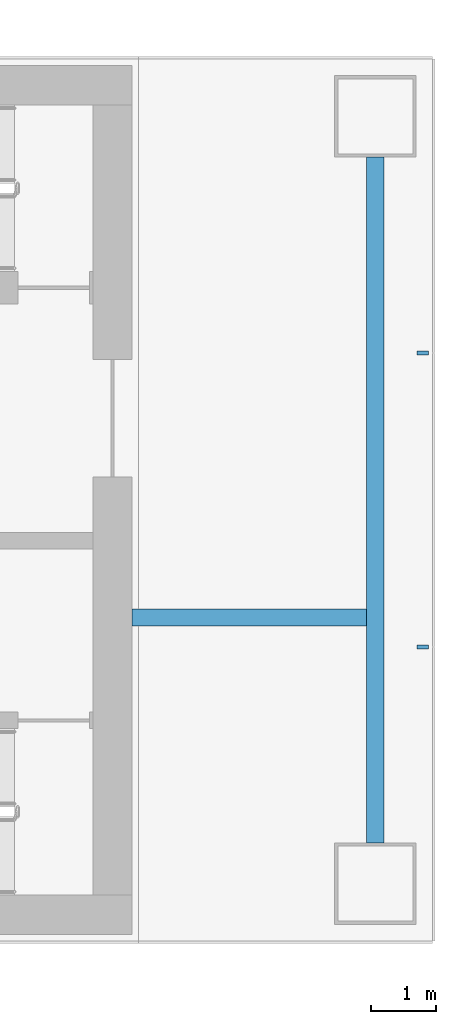
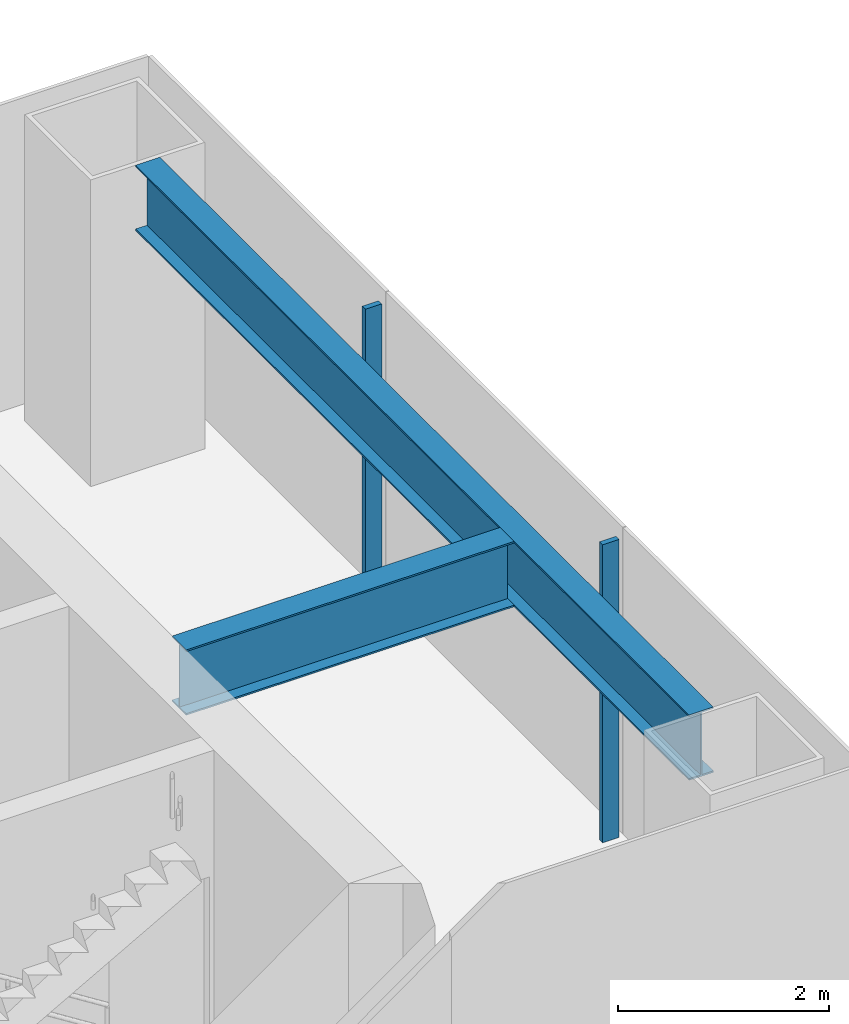
# One storey, part 7 of 18: 2 beams, 2 members, 1 element without a shape of its own.
"""IFC4 building model written with IfcOpenShell, lengths in metres."""

import ifcopenshell
import ifcopenshell.guid

model = None  # the IFC model being written
_history = None  # IfcOwnerHistory: only IFC2X3 demands one
_inside = {}  # id of a spatial element -> (the spatial element, [elements in it])
_under = {}  # id of a project, library or spatial element -> (it, [spatial elements below it])
_declared = {}  # id of a project -> (the project, [libraries it declares])
_typed = {}  # id of a type object -> (the type object, [elements of that type])
_made_of = {}  # id of a material, layer set ... -> (it, [elements and type objects made of it])


def new_model(schema):
    """Start an empty IFC model of exactly this schema.

    Asked for "IFC4X3", IfcOpenShell would pick the latest addendum, in which some entities
    have other attributes; the version numbers below select the first issue.
    IFC2X3 requires an IfcOwnerHistory on every rooted entity: one is made here for all.
    """
    global model, _history
    if schema == "IFC4X3":
        model = ifcopenshell.file(schema_version=(4, 3, 0, 0))
    else:
        model = ifcopenshell.file(schema=schema)
    _inside.clear()
    _under.clear()
    _declared.clear()
    _typed.clear()
    _made_of.clear()
    _history = None
    if model.schema == "IFC2X3":
        org = make("IfcOrganization", Name="unknown")
        user = make(
            "IfcPersonAndOrganization",
            ThePerson=make("IfcPerson", FamilyName="unknown"),
            TheOrganization=org,
        )
        app = make(
            "IfcApplication",
            ApplicationDeveloper=org,
            Version="unknown",
            ApplicationFullName="unknown",
            ApplicationIdentifier="unknown",
        )
        _history = make(
            "IfcOwnerHistory",
            OwningUser=user,
            OwningApplication=app,
            ChangeAction="ADDED",
            CreationDate=0,
        )
    return model


def make(cls, **values):
    """One entity of the class cls with the attributes given. An attribute that is None is left unset."""
    return model.create_entity(
        cls, **{name: value for name, value in values.items() if value is not None}
    )


def rooted(cls, **values):
    """An entity with a GlobalId (a new one), such as an element, a storey or a relation."""
    return make(cls, GlobalId=ifcopenshell.guid.new(), OwnerHistory=_history, **values)


def si_unit(unit_type, name, prefix=None):
    """IfcSIUnit, for example si_unit("LENGTHUNIT", "METRE", prefix="MILLI")."""
    return make("IfcSIUnit", UnitType=unit_type, Prefix=prefix, Name=name)


def assignment(units):
    """IfcUnitAssignment: the units of a project."""
    return None if units is None else make("IfcUnitAssignment", Units=units)


def point(xyz):
    """IfcCartesianPoint."""
    return None if xyz is None else make("IfcCartesianPoint", Coordinates=xyz)


def direction(xyz):
    """IfcDirection."""
    return None if xyz is None else make("IfcDirection", DirectionRatios=xyz)


def frame(location, z_axis=None, x_axis=None):
    """IfcAxis2Placement3D, a coordinate frame: its origin and axes. An axis left out is left unset."""
    return make(
        "IfcAxis2Placement3D",
        Location=point(location),
        Axis=direction(z_axis),
        RefDirection=direction(x_axis),
    )


def frame_2d(location, x_axis=None):
    """IfcAxis2Placement2D, a coordinate frame in the plane: its origin and x axis."""
    return make(
        "IfcAxis2Placement2D", Location=point(location), RefDirection=direction(x_axis)
    )


def origin():
    """The frame at (0, 0, 0) with its axes left unset."""
    return frame((0.0, 0.0, 0.0))


def origin_2d():
    """The frame at (0, 0) in the plane with its x axis left unset."""
    return frame_2d((0.0, 0.0))


def place(relative_to, where):
    """IfcLocalPlacement: puts the frame where relative to a parent placement (None: the world)."""
    return make(
        "IfcLocalPlacement", PlacementRelTo=relative_to, RelativePlacement=where
    )


def context(
    kind, dimensions, precision=None, world=None, true_north=None, identifier=None
):
    """IfcGeometricRepresentationContext, for example the 3D "Model" context."""
    return make(
        "IfcGeometricRepresentationContext",
        ContextIdentifier=identifier,
        ContextType=kind,
        CoordinateSpaceDimension=dimensions,
        Precision=precision,
        WorldCoordinateSystem=world,
        TrueNorth=true_north,
    )


def subcontext(parent, identifier, kind, view, scale=None):
    """IfcGeometricRepresentationSubContext, for example "Body" below "Model"."""
    return make(
        "IfcGeometricRepresentationSubContext",
        ContextIdentifier=identifier,
        ContextType=kind,
        ParentContext=parent,
        TargetScale=scale,
        TargetView=view,
    )


def project(units=None, contexts=None):
    """IfcProject with its units and contexts."""
    return rooted(
        "IfcProject",
        Name="project",
        RepresentationContexts=contexts,
        UnitsInContext=assignment(units),
    )


def spatial(cls, under=None, at=None, **own):
    """A site, building, storey or space (cls), placed at a placement, below another one or the project."""
    s = rooted(cls, ObjectPlacement=at, **own)
    if under is not None:
        _under.setdefault(under.id(), (under, []))[1].append(s)
    return s


def profile(cls, at=None, kind="AREA", **sizes):
    """A parametric profile (cls). Its sizes go by their IFC names, for example OverallWidth=200.0."""
    return make(cls, ProfileType=kind, Position=at, **sizes)


def rectangle(**sizes):
    """IfcRectangleProfileDef."""
    return profile("IfcRectangleProfileDef", **sizes)


def i_section(**sizes):
    """IfcIShapeProfileDef."""
    return profile("IfcIShapeProfileDef", **sizes)


def extrude(swept, where, along, depth):
    """IfcExtrudedAreaSolid: the profile swept, set in the frame where, extruded along a direction by depth."""
    return make(
        "IfcExtrudedAreaSolid",
        SweptArea=swept,
        Position=where,
        ExtrudedDirection=direction(along),
        Depth=depth,
    )


def shape(context_of_items, identifier, shape_type, items):
    """IfcShapeRepresentation: the items that make up one representation, for example the "Body"."""
    return make(
        "IfcShapeRepresentation",
        ContextOfItems=context_of_items,
        RepresentationIdentifier=identifier,
        RepresentationType=shape_type,
        Items=items,
    )


def material(Name=None, Category=None):
    """IfcMaterial."""
    return make("IfcMaterial", Name=Name, Category=Category)


def layer(
    of_material, thickness, ventilated=None, Name=None, Category=None, Priority=None
):
    """IfcMaterialLayer: one layer of a wall or slab, of a material (None: an air gap)."""
    return make(
        "IfcMaterialLayer",
        Material=of_material,
        LayerThickness=thickness,
        IsVentilated=ventilated,
        Name=Name,
        Category=Category,
        Priority=Priority,
    )


def layer_set(layers, Name=None):
    """IfcMaterialLayerSet."""
    return make("IfcMaterialLayerSet", MaterialLayers=layers, LayerSetName=Name)


def material_profile(
    of_material, cross_section, Name=None, Category=None, Priority=None
):
    """IfcMaterialProfile: a cross section and its material."""
    return make(
        "IfcMaterialProfile",
        Name=Name,
        Material=of_material,
        Profile=cross_section,
        Priority=Priority,
        Category=Category,
    )


def profile_set(profiles, Name=None, composite=None):
    """IfcMaterialProfileSet."""
    return make(
        "IfcMaterialProfileSet",
        Name=Name,
        MaterialProfiles=profiles,
        CompositeProfile=composite,
    )


def made_of(thing, what):
    """Note that an element or type object is made of a material, layer set ...; save() writes the relation."""
    if what is not None:
        _made_of.setdefault(what.id(), (what, []))[1].append(thing)
    return thing


def type_object(cls, material=None, **own):
    """A type object (cls), such as IfcWallType, which elements share."""
    return made_of(rooted(cls, **own), material)


def element(
    cls,
    number,
    at=None,
    inside=None,
    cuts=None,
    type_object=None,
    material=None,
    context=None,
    identifier="Body",
    shape_type=None,
    held_by="IfcProductDefinitionShape",
    body=None,
    shapes=None,
    **own,
):
    """One element of the class cls, such as IfcWall. Its Tag is "e" and its number.

    at: its placement. inside: the storey or other place that contains it. cuts: it is an
    opening in that element (IfcRelVoidsElement). A single representation is given by context,
    identifier, shape_type and body (its items); several are given by shapes. held_by: the class
    of the entity that holds the representations. save() writes the other relations.
    """
    e = rooted(cls, Tag="e%d" % number, ObjectPlacement=at, **own)
    if body is not None:
        shapes = [shape(context, identifier, shape_type, body)]
    if shapes is not None:
        e.Representation = make(held_by, Representations=shapes)
    if inside is not None:
        _inside.setdefault(inside.id(), (inside, []))[1].append(e)
    if cuts is not None:
        rooted(
            "IfcRelVoidsElement", RelatingBuildingElement=cuts, RelatedOpeningElement=e
        )
    if type_object is not None:
        _typed.setdefault(type_object.id(), (type_object, []))[1].append(e)
    return made_of(e, material)


def aggregate(whole, parts):
    """IfcRelAggregates: a whole, such as a stair, and the parts it consists of."""
    return rooted("IfcRelAggregates", RelatingObject=whole, RelatedObjects=parts)


def save(model, path):
    """Write the relations noted so far, then the file.

    IfcRelAggregates (storeys below a building ...), IfcRelContainedInSpatialStructure (elements
    in a storey), IfcRelDefinesByType, IfcRelAssociatesMaterial and IfcRelDeclares: one each for
    every whole, place, type object, material and project.
    """
    for whole, parts in _under.values():
        aggregate(whole, parts)
    for where, things in _inside.values():
        rooted(
            "IfcRelContainedInSpatialStructure",
            RelatedElements=things,
            RelatingStructure=where,
        )
    for kind, things in _typed.values():
        rooted("IfcRelDefinesByType", RelatedObjects=things, RelatingType=kind)
    for what, things in _made_of.values():
        rooted("IfcRelAssociatesMaterial", RelatedObjects=things, RelatingMaterial=what)
    for by, libraries in _declared.values():
        rooted("IfcRelDeclares", RelatingContext=by, RelatedDefinitions=libraries)
    model.write(path)


model = new_model("IFC4")

# Units and contexts
model_context = context("Model", 3, precision=1e-05, world=origin(), true_north=direction((0.0, 1.0)))
body_context = subcontext(model_context, "Body", "Model", "MODEL_VIEW")
ifc_project = project(units=[si_unit("LENGTHUNIT", "METRE"), si_unit("AREAUNIT", "SQUARE_METRE"), si_unit("VOLUMEUNIT", "CUBIC_METRE"), si_unit("PLANEANGLEUNIT", "RADIAN"), si_unit("MASSUNIT", "GRAM", prefix="KILO")], contexts=[model_context])

# Site, building, storey
site_placement = place(None, origin())
site = spatial("IfcSite", under=ifc_project, at=site_placement, CompositionType="ELEMENT")
building_placement = place(site_placement, origin())
building = spatial("IfcBuilding", under=site, at=building_placement, Name="Shamsa Quay Exchange Towers", CompositionType="ELEMENT")
storey_placement = place(building_placement, frame((0.0, 0.0, 113.10009765625)))
storey = spatial("IfcBuildingStorey", under=building, at=storey_placement, Name="L26", CompositionType="ELEMENT", Elevation=113.10009765625)

# Curtain wall, members
ifc_material_1 = material(Name="Aluminium EN AW-6063 T6, black anodised", Category="aluminium")
ifc_layer = layer(ifc_material_1, 0.280029296875)
ifc_layer_set = layer_set([ifc_layer], Name="CW-1 UNITISED VISION GLASS")
curtain_wall_type = type_object("IfcCurtainWallType", Name="CW-1 UNITISED VISION GLASS", PredefinedType="NOTDEFINED", material=ifc_layer_set)
curtain_wall_placement = place(storey_placement, origin())
curtain_wall = element("IfcCurtainWall", 1, at=curtain_wall_placement, inside=storey, type_object=curtain_wall_type, Name="CW1 T2-END-V- L26", PredefinedType="NOTDEFINED")
ifc_material_profile_1 = material_profile(ifc_material_1, rectangle(XDim=0.179931640625, YDim=0.06005859375, at=origin_2d()), Name="MU60x180")
ifc_profile_set_1 = profile_set([ifc_material_profile_1], Name="Aluminium EN AW-6063 T6, black anodised")
member_type = type_object("IfcMemberType", Name="CW1 MULLION 60x180", PredefinedType="MULLION", material=ifc_profile_set_1)
member_1_placement = place(storey_placement, frame((58.35009765625, -2.25, 0.0), z_axis=(0.0, 0.0, 1.0), x_axis=(-1.0, 0.0, 0.0)))
member_1 = element("IfcMember", 2, at=member_1_placement, type_object=member_type, Name="CW1 mullion", PredefinedType="MULLION", context=body_context, shape_type="SweptSolid", body=[
    extrude(rectangle(XDim=0.179931640625, YDim=0.06005859375, at=origin_2d()), origin(), (0.0, 0.0, 1.0), 3.449951171875),
])
member_2_placement = place(storey_placement, frame((58.35009765625, 2.25, 0.0), z_axis=(0.0, 0.0, 1.0), x_axis=(-1.0, 0.0, 0.0)))
member_2 = element("IfcMember", 3, at=member_2_placement, type_object=member_type, Name="CW1 mullion", PredefinedType="MULLION", context=body_context, shape_type="SweptSolid", body=[
    extrude(rectangle(XDim=0.179931640625, YDim=0.06005859375, at=origin_2d()), origin(), (0.0, 0.0, 1.0), 3.449951171875),
])
aggregate(curtain_wall, [member_1, member_2])

# Beams
ifc_material_2 = material(Name="Steel S355", Category="steel")
ifc_material_profile_2 = material_profile(ifc_material_2, i_section(OverallWidth=0.26611328125, OverallDepth=0.7578125, WebThickness=0.013916015625, FlangeThickness=0.019287109375, at=origin_2d()), Name="W30x108")
ifc_profile_set_2 = profile_set([ifc_material_profile_2], Name="Steel S355")
beam_type = type_object("IfcBeamType", Name="End-zone beam W30x108", PredefinedType="BEAM", material=ifc_profile_set_2)
beam_1_placement = place(storey_placement, frame((57.625, -5.25, 3.171142578125), z_axis=(0.0, 1.0, 0.0), x_axis=(-1.0, 0.0, 0.0)))
element("IfcBeam", 4, at=beam_1_placement, inside=storey, type_object=beam_type, Name="End beam T2 V- end zone L26", PredefinedType="BEAM", context=body_context, shape_type="SweptSolid", body=[
    extrude(i_section(OverallWidth=0.26611328125, OverallDepth=0.7578125, WebThickness=0.013916015625, FlangeThickness=0.019287109375, at=origin_2d()), origin(), (0.0, 0.0, 1.0), 10.5),
])
beam_2_placement = place(storey_placement, frame((53.89990234375, -1.800048828125, 3.171142578125), z_axis=(1.0, 0.0, 0.0), x_axis=(0.0, 1.0, 0.0)))
element("IfcBeam", 5, at=beam_2_placement, inside=storey, type_object=beam_type, Name="Spine beam T2 V- end zone L26", PredefinedType="BEAM", context=body_context, shape_type="SweptSolid", body=[
    extrude(i_section(OverallWidth=0.26611328125, OverallDepth=0.7578125, WebThickness=0.013916015625, FlangeThickness=0.019287109375, at=origin_2d()), origin(), (0.0, 0.0, 1.0), 3.592041015625),
])

save(model, "model.ifc")
